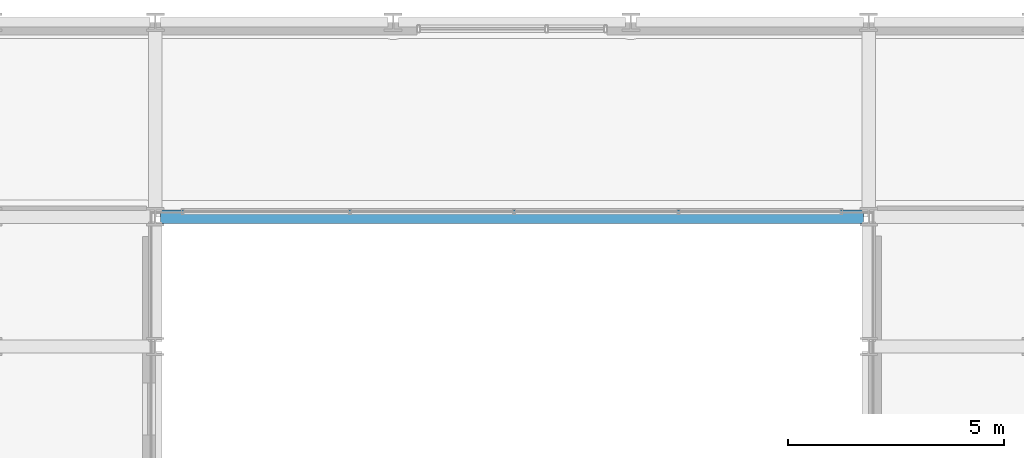
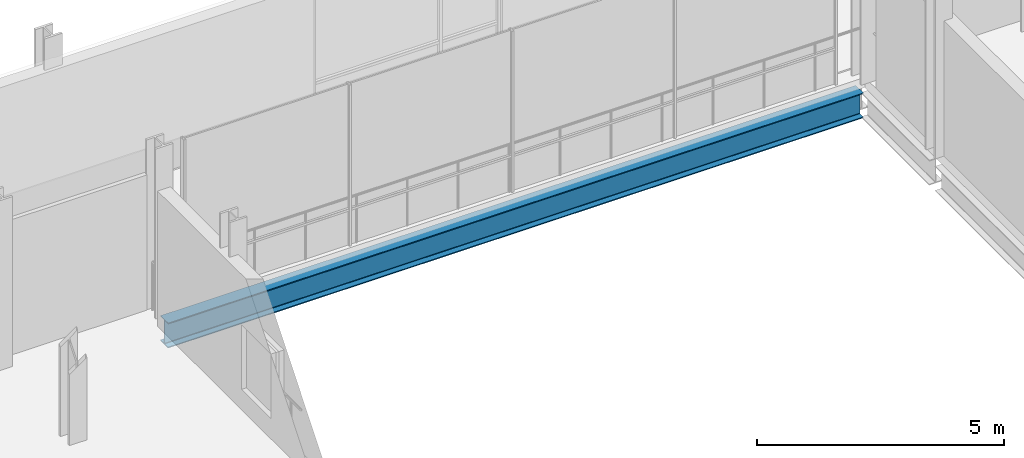
# One storey, part 10 of 32: 1 beam.
"""IFC4 building model written with IfcOpenShell, lengths in metres."""

from ifc_helpers import new_model, si_unit, direction, frame, origin, origin_2d, place, context, subcontext, project, spatial, i_section, extrude, material, material_profile, profile_set, type_object, element, save


model = new_model("IFC4")

# Units and contexts
model_context = context("Model", 3, precision=1e-05, world=origin(), true_north=direction((0.0, 1.0)))
body_context = subcontext(model_context, "Body", "Model", "MODEL_VIEW")
ifc_project = project(units=[si_unit("LENGTHUNIT", "METRE"), si_unit("AREAUNIT", "SQUARE_METRE"), si_unit("VOLUMEUNIT", "CUBIC_METRE"), si_unit("PLANEANGLEUNIT", "RADIAN"), si_unit("MASSUNIT", "GRAM", prefix="KILO")], contexts=[model_context])

# Site, building, storey
site_placement = place(None, origin())
site = spatial("IfcSite", under=ifc_project, at=site_placement, CompositionType="ELEMENT")
building_placement = place(site_placement, origin())
building = spatial("IfcBuilding", under=site, at=building_placement, Name="Brevholm Reach", CompositionType="ELEMENT")
storey_placement = place(building_placement, frame((0.0, 0.0, 134.5)))
storey = spatial("IfcBuildingStorey", under=building, at=storey_placement, Name="L40", CompositionType="ELEMENT", Elevation=134.5)

# Beam
ifc_material = material(Name="Structural Steel S355J2", Category="steel")
ifc_material_profile = material_profile(ifc_material, i_section(OverallWidth=0.30712890625, OverallDepth=0.6201171875, WebThickness=0.01416015625, FlangeThickness=0.023681640625, FilletRadius=0.0166015625, at=origin_2d()), Name="UKB 610x305x179")
ifc_profile_set = profile_set([ifc_material_profile], Name="Structural Steel S355J2")
beam_type = type_object("IfcBeamType", Name="BM-UKB610H", PredefinedType="USERDEFINED", material=ifc_profile_set)
beam_placement = place(storey_placement, frame((21.8701171875, 26.5, -0.56005859375), z_axis=(1.0, 0.0, 0.0), x_axis=(0.0, 1.0, 0.0)))
element("IfcBeam", 1, at=beam_placement, inside=storey, type_object=beam_type, Name="L40 G-06 Framing Beam", ObjectType="GIRDER", PredefinedType="USERDEFINED", context=body_context, shape_type="SweptSolid", body=[
    extrude(i_section(OverallWidth=0.30712890625, OverallDepth=0.6201171875, WebThickness=0.01416015625, FlangeThickness=0.023681640625, FilletRadius=0.0166015625, at=origin_2d()), origin(), (0.0, 0.0, 1.0), 16.259765625),
])

save(model, "model.ifc")
